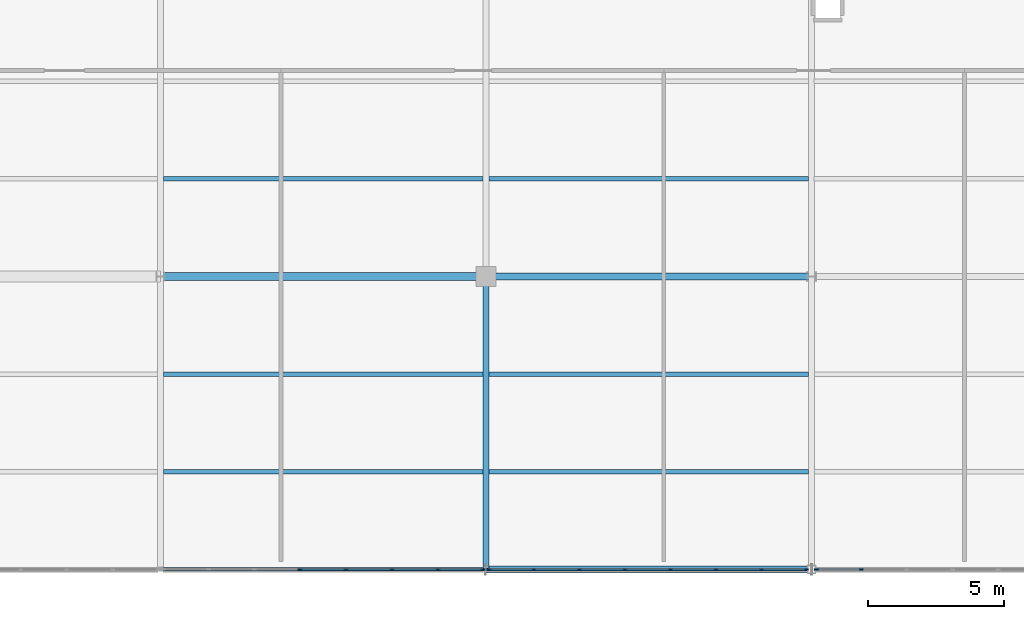
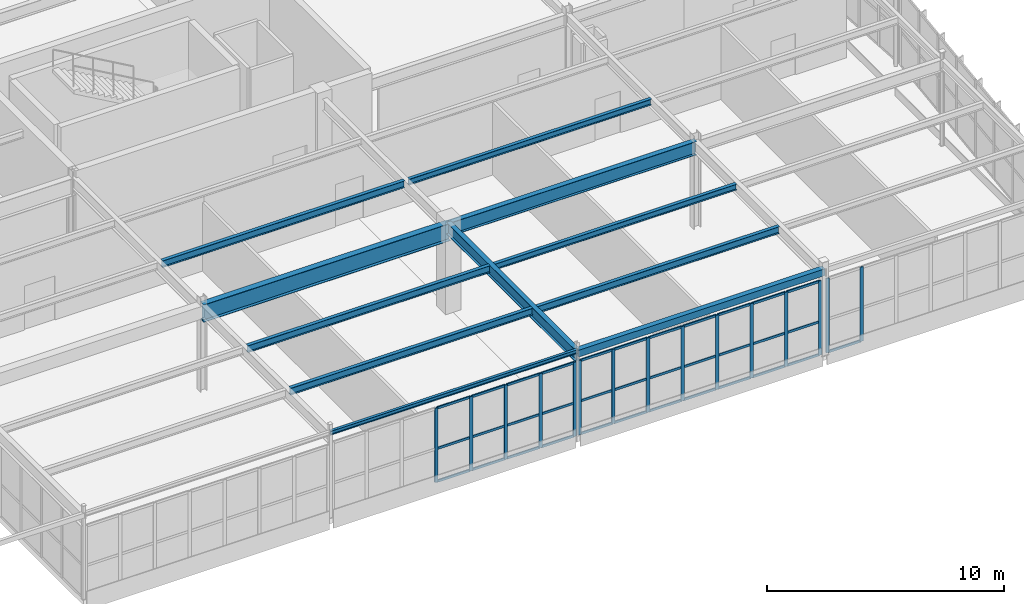
# One storey, part 89 of 186: 49 members, 11 beams, 3 elements without a shape of their own.
"""IFC4 building model written with IfcOpenShell, lengths in metres."""

import ifcopenshell
import ifcopenshell.guid

model = None  # the IFC model being written
_history = None  # IfcOwnerHistory: only IFC2X3 demands one
_inside = {}  # id of a spatial element -> (the spatial element, [elements in it])
_under = {}  # id of a project, library or spatial element -> (it, [spatial elements below it])
_declared = {}  # id of a project -> (the project, [libraries it declares])
_typed = {}  # id of a type object -> (the type object, [elements of that type])
_made_of = {}  # id of a material, layer set ... -> (it, [elements and type objects made of it])


def new_model(schema):
    """Start an empty IFC model of exactly this schema.

    Asked for "IFC4X3", IfcOpenShell would pick the latest addendum, in which some entities
    have other attributes; the version numbers below select the first issue.
    IFC2X3 requires an IfcOwnerHistory on every rooted entity: one is made here for all.
    """
    global model, _history
    if schema == "IFC4X3":
        model = ifcopenshell.file(schema_version=(4, 3, 0, 0))
    else:
        model = ifcopenshell.file(schema=schema)
    _inside.clear()
    _under.clear()
    _declared.clear()
    _typed.clear()
    _made_of.clear()
    _history = None
    if model.schema == "IFC2X3":
        org = make("IfcOrganization", Name="unknown")
        user = make(
            "IfcPersonAndOrganization",
            ThePerson=make("IfcPerson", FamilyName="unknown"),
            TheOrganization=org,
        )
        app = make(
            "IfcApplication",
            ApplicationDeveloper=org,
            Version="unknown",
            ApplicationFullName="unknown",
            ApplicationIdentifier="unknown",
        )
        _history = make(
            "IfcOwnerHistory",
            OwningUser=user,
            OwningApplication=app,
            ChangeAction="ADDED",
            CreationDate=0,
        )
    return model


def make(cls, **values):
    """One entity of the class cls with the attributes given. An attribute that is None is left unset."""
    return model.create_entity(
        cls, **{name: value for name, value in values.items() if value is not None}
    )


def rooted(cls, **values):
    """An entity with a GlobalId (a new one), such as an element, a storey or a relation."""
    return make(cls, GlobalId=ifcopenshell.guid.new(), OwnerHistory=_history, **values)


def si_unit(unit_type, name, prefix=None):
    """IfcSIUnit, for example si_unit("LENGTHUNIT", "METRE", prefix="MILLI")."""
    return make("IfcSIUnit", UnitType=unit_type, Prefix=prefix, Name=name)


def assignment(units):
    """IfcUnitAssignment: the units of a project."""
    return None if units is None else make("IfcUnitAssignment", Units=units)


def point(xyz):
    """IfcCartesianPoint."""
    return None if xyz is None else make("IfcCartesianPoint", Coordinates=xyz)


def direction(xyz):
    """IfcDirection."""
    return None if xyz is None else make("IfcDirection", DirectionRatios=xyz)


def frame(location, z_axis=None, x_axis=None):
    """IfcAxis2Placement3D, a coordinate frame: its origin and axes. An axis left out is left unset."""
    return make(
        "IfcAxis2Placement3D",
        Location=point(location),
        Axis=direction(z_axis),
        RefDirection=direction(x_axis),
    )


def frame_2d(location, x_axis=None):
    """IfcAxis2Placement2D, a coordinate frame in the plane: its origin and x axis."""
    return make(
        "IfcAxis2Placement2D", Location=point(location), RefDirection=direction(x_axis)
    )


def origin():
    """The frame at (0, 0, 0) with its axes left unset."""
    return frame((0.0, 0.0, 0.0))


def origin_2d():
    """The frame at (0, 0) in the plane with its x axis left unset."""
    return frame_2d((0.0, 0.0))


def place(relative_to, where):
    """IfcLocalPlacement: puts the frame where relative to a parent placement (None: the world)."""
    return make(
        "IfcLocalPlacement", PlacementRelTo=relative_to, RelativePlacement=where
    )


def context(
    kind, dimensions, precision=None, world=None, true_north=None, identifier=None
):
    """IfcGeometricRepresentationContext, for example the 3D "Model" context."""
    return make(
        "IfcGeometricRepresentationContext",
        ContextIdentifier=identifier,
        ContextType=kind,
        CoordinateSpaceDimension=dimensions,
        Precision=precision,
        WorldCoordinateSystem=world,
        TrueNorth=true_north,
    )


def subcontext(parent, identifier, kind, view, scale=None):
    """IfcGeometricRepresentationSubContext, for example "Body" below "Model"."""
    return make(
        "IfcGeometricRepresentationSubContext",
        ContextIdentifier=identifier,
        ContextType=kind,
        ParentContext=parent,
        TargetScale=scale,
        TargetView=view,
    )


def project(units=None, contexts=None):
    """IfcProject with its units and contexts."""
    return rooted(
        "IfcProject",
        Name="project",
        RepresentationContexts=contexts,
        UnitsInContext=assignment(units),
    )


def spatial(cls, under=None, at=None, **own):
    """A site, building, storey or space (cls), placed at a placement, below another one or the project."""
    s = rooted(cls, ObjectPlacement=at, **own)
    if under is not None:
        _under.setdefault(under.id(), (under, []))[1].append(s)
    return s


def profile(cls, at=None, kind="AREA", **sizes):
    """A parametric profile (cls). Its sizes go by their IFC names, for example OverallWidth=200.0."""
    return make(cls, ProfileType=kind, Position=at, **sizes)


def rectangle(**sizes):
    """IfcRectangleProfileDef."""
    return profile("IfcRectangleProfileDef", **sizes)


def hollow_rectangle(**sizes):
    """IfcRectangleHollowProfileDef."""
    return profile("IfcRectangleHollowProfileDef", **sizes)


def i_section(**sizes):
    """IfcIShapeProfileDef."""
    return profile("IfcIShapeProfileDef", **sizes)


def extrude(swept, where, along, depth):
    """IfcExtrudedAreaSolid: the profile swept, set in the frame where, extruded along a direction by depth."""
    return make(
        "IfcExtrudedAreaSolid",
        SweptArea=swept,
        Position=where,
        ExtrudedDirection=direction(along),
        Depth=depth,
    )


def shape(context_of_items, identifier, shape_type, items):
    """IfcShapeRepresentation: the items that make up one representation, for example the "Body"."""
    return make(
        "IfcShapeRepresentation",
        ContextOfItems=context_of_items,
        RepresentationIdentifier=identifier,
        RepresentationType=shape_type,
        Items=items,
    )


def material(Name=None, Category=None):
    """IfcMaterial."""
    return make("IfcMaterial", Name=Name, Category=Category)


def layer(
    of_material, thickness, ventilated=None, Name=None, Category=None, Priority=None
):
    """IfcMaterialLayer: one layer of a wall or slab, of a material (None: an air gap)."""
    return make(
        "IfcMaterialLayer",
        Material=of_material,
        LayerThickness=thickness,
        IsVentilated=ventilated,
        Name=Name,
        Category=Category,
        Priority=Priority,
    )


def layer_set(layers, Name=None):
    """IfcMaterialLayerSet."""
    return make("IfcMaterialLayerSet", MaterialLayers=layers, LayerSetName=Name)


def material_profile(
    of_material, cross_section, Name=None, Category=None, Priority=None
):
    """IfcMaterialProfile: a cross section and its material."""
    return make(
        "IfcMaterialProfile",
        Name=Name,
        Material=of_material,
        Profile=cross_section,
        Priority=Priority,
        Category=Category,
    )


def profile_set(profiles, Name=None, composite=None):
    """IfcMaterialProfileSet."""
    return make(
        "IfcMaterialProfileSet",
        Name=Name,
        MaterialProfiles=profiles,
        CompositeProfile=composite,
    )


def made_of(thing, what):
    """Note that an element or type object is made of a material, layer set ...; save() writes the relation."""
    if what is not None:
        _made_of.setdefault(what.id(), (what, []))[1].append(thing)
    return thing


def type_object(cls, material=None, **own):
    """A type object (cls), such as IfcWallType, which elements share."""
    return made_of(rooted(cls, **own), material)


def element(
    cls,
    number,
    at=None,
    inside=None,
    cuts=None,
    type_object=None,
    material=None,
    context=None,
    identifier="Body",
    shape_type=None,
    held_by="IfcProductDefinitionShape",
    body=None,
    shapes=None,
    **own,
):
    """One element of the class cls, such as IfcWall. Its Tag is "e" and its number.

    at: its placement. inside: the storey or other place that contains it. cuts: it is an
    opening in that element (IfcRelVoidsElement). A single representation is given by context,
    identifier, shape_type and body (its items); several are given by shapes. held_by: the class
    of the entity that holds the representations. save() writes the other relations.
    """
    e = rooted(cls, Tag="e%d" % number, ObjectPlacement=at, **own)
    if body is not None:
        shapes = [shape(context, identifier, shape_type, body)]
    if shapes is not None:
        e.Representation = make(held_by, Representations=shapes)
    if inside is not None:
        _inside.setdefault(inside.id(), (inside, []))[1].append(e)
    if cuts is not None:
        rooted(
            "IfcRelVoidsElement", RelatingBuildingElement=cuts, RelatedOpeningElement=e
        )
    if type_object is not None:
        _typed.setdefault(type_object.id(), (type_object, []))[1].append(e)
    return made_of(e, material)


def aggregate(whole, parts):
    """IfcRelAggregates: a whole, such as a stair, and the parts it consists of."""
    return rooted("IfcRelAggregates", RelatingObject=whole, RelatedObjects=parts)


def save(model, path):
    """Write the relations noted so far, then the file.

    IfcRelAggregates (storeys below a building ...), IfcRelContainedInSpatialStructure (elements
    in a storey), IfcRelDefinesByType, IfcRelAssociatesMaterial and IfcRelDeclares: one each for
    every whole, place, type object, material and project.
    """
    for whole, parts in _under.values():
        aggregate(whole, parts)
    for where, things in _inside.values():
        rooted(
            "IfcRelContainedInSpatialStructure",
            RelatedElements=things,
            RelatingStructure=where,
        )
    for kind, things in _typed.values():
        rooted("IfcRelDefinesByType", RelatedObjects=things, RelatingType=kind)
    for what, things in _made_of.values():
        rooted("IfcRelAssociatesMaterial", RelatedObjects=things, RelatingMaterial=what)
    for by, libraries in _declared.values():
        rooted("IfcRelDeclares", RelatingContext=by, RelatedDefinitions=libraries)
    model.write(path)


model = new_model("IFC4")

# Units and contexts
model_context = context("Model", 3, precision=1e-05, world=origin(), true_north=direction((0.0, 1.0)))
body_context = subcontext(model_context, "Body", "Model", "MODEL_VIEW")
ifc_project = project(units=[si_unit("LENGTHUNIT", "METRE"), si_unit("AREAUNIT", "SQUARE_METRE"), si_unit("VOLUMEUNIT", "CUBIC_METRE"), si_unit("PLANEANGLEUNIT", "RADIAN"), si_unit("MASSUNIT", "GRAM", prefix="KILO")], contexts=[model_context])

# Site, building, storey
site_placement = place(None, origin())
site = spatial("IfcSite", under=ifc_project, at=site_placement, CompositionType="ELEMENT")
building_placement = place(site_placement, origin())
building = spatial("IfcBuilding", under=site, at=building_placement, Name="Tarnwether General Hospital", CompositionType="ELEMENT")
storey_placement = place(building_placement, frame((0.0, 0.0, 9.60009765625)))
storey = spatial("IfcBuildingStorey", under=building, at=storey_placement, Name="L02", CompositionType="ELEMENT", Elevation=9.60009765625)

# Beams
ifc_material_1 = material(Name="Steel Grade 350 (350 MPa)", Category="steel")
ifc_material_profile_1 = material_profile(ifc_material_1, i_section(OverallWidth=0.300048828125, OverallDepth=0.89990234375, WebThickness=0.011962890625, FlangeThickness=0.02001953125, at=origin_2d()), Name="900WB175")
ifc_profile_set_1 = profile_set([ifc_material_profile_1], Name="Steel Grade 350 (350 MPa)")
beam_type_1 = type_object("IfcBeamType", Name="BM-G01", PredefinedType="BEAM", material=ifc_profile_set_1)
beam_1_placement = place(storey_placement, frame((156.0, 10.800048828125, 3.994873046875), z_axis=(1.0, 0.0, 0.0), x_axis=(0.0, 1.0, 0.0)))
element("IfcBeam", 1, at=beam_1_placement, inside=storey, type_object=beam_type_1, Name="Primary Girder BMG-L02-15600_1080-16800_1080-1590", PredefinedType="BEAM", context=body_context, shape_type="SweptSolid", body=[
    extrude(i_section(OverallWidth=0.300048828125, OverallDepth=0.89990234375, WebThickness=0.011962890625, FlangeThickness=0.02001953125, at=origin_2d()), origin(), (0.0, 0.0, 1.0), 12.0),
])
ifc_material_2 = material(Name="Steel Grade 350 (350 MPa)", Category="steel")
ifc_material_profile_2 = material_profile(ifc_material_2, i_section(OverallWidth=0.25, OverallDepth=0.69189453125, WebThickness=0.009033203125, FlangeThickness=0.01611328125, at=origin_2d()), Name="700WB115")
ifc_profile_set_2 = profile_set([ifc_material_profile_2], Name="Steel Grade 350 (350 MPa)")
beam_type_2 = type_object("IfcBeamType", Name="BM-G02", PredefinedType="BEAM", material=ifc_profile_set_2)
beam_2_placement = place(storey_placement, frame((168.0, 10.800048828125, 4.093994140625), z_axis=(1.0, 0.0, 0.0), x_axis=(0.0, 1.0, 0.0)))
element("IfcBeam", 2, at=beam_2_placement, inside=storey, type_object=beam_type_2, Name="Primary Girder BMG-L02-16800_1080-18000_1080-1608", PredefinedType="BEAM", context=body_context, shape_type="SweptSolid", body=[
    extrude(i_section(OverallWidth=0.25, OverallDepth=0.69189453125, WebThickness=0.009033203125, FlangeThickness=0.01611328125, at=origin_2d()), origin(), (0.0, 0.0, 1.0), 12.0),
])
ifc_material_3 = material(Name="Steel Grade 350 (350 MPa)", Category="steel")
ifc_material_profile_3 = material_profile(ifc_material_3, i_section(OverallWidth=0.22802734375, OverallDepth=0.60693359375, WebThickness=0.01123046875, FlangeThickness=0.017333984375, at=origin_2d()), Name="610UB113")
ifc_profile_set_3 = profile_set([ifc_material_profile_3], Name="Steel Grade 350 (350 MPa)")
beam_type_3 = type_object("IfcBeamType", Name="BM-G04", PredefinedType="BEAM", material=ifc_profile_set_3)
beam_3_placement = place(storey_placement, frame((168.0, 0.0, 4.141357421875), z_axis=(0.0, 1.0, 0.0), x_axis=(-1.0, 0.0, 0.0)))
element("IfcBeam", 3, at=beam_3_placement, inside=storey, type_object=beam_type_3, Name="Primary Girder BMG-L02-16800_0-16800_1080-1607", PredefinedType="BEAM", context=body_context, shape_type="SweptSolid", body=[
    extrude(i_section(OverallWidth=0.22802734375, OverallDepth=0.60693359375, WebThickness=0.01123046875, FlangeThickness=0.017333984375, at=origin_2d()), origin(), (0.0, 0.0, 1.0), 10.800048828125),
])
ifc_material_4 = material(Name="Steel Grade 350 (350 MPa)", Category="steel")
ifc_material_profile_4 = material_profile(ifc_material_4, i_section(OverallWidth=0.172119140625, OverallDepth=0.35888671875, WebThickness=0.008056640625, FlangeThickness=0.012939453125, at=origin_2d()), Name="360UB56.7")
ifc_profile_set_4 = profile_set([ifc_material_profile_4], Name="Steel Grade 350 (350 MPa)")
beam_type_4 = type_object("IfcBeamType", Name="BM-J03", PredefinedType="JOIST", material=ifc_profile_set_4)
beam_4_placement = place(storey_placement, frame((156.10791015625, 3.60009765625, 4.265380859375), z_axis=(1.0, 0.0, 0.0), x_axis=(0.0, 1.0, 0.0)))
element("IfcBeam", 4, at=beam_4_placement, inside=storey, type_object=beam_type_4, Name="Composite Floor Joist BMG-L02-15611_360-16789_360-1720", PredefinedType="JOIST", context=body_context, shape_type="SweptSolid", body=[
    extrude(i_section(OverallWidth=0.172119140625, OverallDepth=0.35888671875, WebThickness=0.008056640625, FlangeThickness=0.012939453125, at=origin_2d()), origin(), (0.0, 0.0, 1.0), 11.7841796875),
])
ifc_material_5 = material(Name="Steel Grade 350 (350 MPa)", Category="steel")
ifc_material_profile_5 = material_profile(ifc_material_5, i_section(OverallWidth=0.1708984375, OverallDepth=0.35595703125, WebThickness=0.00732421875, FlangeThickness=0.011474609375, at=origin_2d()), Name="360UB50.7")
ifc_profile_set_5 = profile_set([ifc_material_profile_5], Name="Steel Grade 350 (350 MPa)")
beam_type_5 = type_object("IfcBeamType", Name="BM-J04", PredefinedType="JOIST", material=ifc_profile_set_5)
for number, where, z_axis, x_axis, name in (
    (5, (156.10791015625, 7.199951171875, 4.266845703125), (1.0, 0.0, 0.0), (0.0, 1.0, 0.0), "Composite Floor Joist BMG-L02-15611_720-16789_720-1721"),
    (6, (156.10791015625, 14.39990234375, 4.266845703125), (1.0, 0.0, 0.0), (0.0, 1.0, 0.0), "Composite Floor Joist BMG-L02-15611_1440-16789_1440-1722"),
    (7, (168.10791015625, 3.60009765625, 4.261962890625), (1.0, 0.0, 0.0), (0.0, 1.0, 0.0), "Composite Floor Joist BMG-L02-16811_360-17989_360-1730"),
):
    element("IfcBeam", number, at=place(storey_placement, frame(where, z_axis=z_axis, x_axis=x_axis)), inside=storey, type_object=beam_type_5, Name=name, PredefinedType="JOIST", context=body_context, shape_type="SweptSolid", body=[
        extrude(i_section(OverallWidth=0.1708984375, OverallDepth=0.35595703125, WebThickness=0.00732421875, FlangeThickness=0.011474609375, at=origin_2d()), origin(), (0.0, 0.0, 1.0), 11.7841796875),
    ])
ifc_material_6 = material(Name="Steel Grade 350 (350 MPa)", Category="steel")
ifc_material_profile_6 = material_profile(ifc_material_6, i_section(OverallWidth=0.166015625, OverallDepth=0.306884765625, WebThickness=0.006591796875, FlangeThickness=0.01171875, at=origin_2d()), Name="310UB46.2")
ifc_profile_set_6 = profile_set([ifc_material_profile_6], Name="Steel Grade 350 (350 MPa)")
beam_type_6 = type_object("IfcBeamType", Name="BM-J05", PredefinedType="JOIST", material=ifc_profile_set_6)
beam_5_placement = place(storey_placement, frame((168.10791015625, 7.199951171875, 4.286376953125), z_axis=(1.0, 0.0, 0.0), x_axis=(0.0, 1.0, 0.0)))
element("IfcBeam", 8, at=beam_5_placement, inside=storey, type_object=beam_type_6, Name="Composite Floor Joist BMG-L02-16811_720-17989_720-1731", PredefinedType="JOIST", context=body_context, shape_type="SweptSolid", body=[
    extrude(i_section(OverallWidth=0.166015625, OverallDepth=0.306884765625, WebThickness=0.006591796875, FlangeThickness=0.01171875, at=origin_2d()), origin(), (0.0, 0.0, 1.0), 11.7841796875),
])
beam_6_placement = place(storey_placement, frame((168.10791015625, 14.39990234375, 4.286376953125), z_axis=(1.0, 0.0, 0.0), x_axis=(0.0, 1.0, 0.0)))
element("IfcBeam", 9, at=beam_6_placement, inside=storey, type_object=beam_type_6, Name="Composite Floor Joist BMG-L02-16811_1440-17990_1440-1732", PredefinedType="JOIST", context=body_context, shape_type="SweptSolid", body=[
    extrude(i_section(OverallWidth=0.166015625, OverallDepth=0.306884765625, WebThickness=0.006591796875, FlangeThickness=0.01171875, at=origin_2d()), origin(), (0.0, 0.0, 1.0), 11.79296875),
])
ifc_material_7 = material(Name="Steel Grade 350 (350 MPa)", Category="steel")
ifc_material_profile_7 = material_profile(ifc_material_7, i_section(OverallWidth=0.133056640625, OverallDepth=0.201904296875, WebThickness=0.0048828125, FlangeThickness=0.007080078125, at=origin_2d()), Name="200UB22.3")
ifc_profile_set_7 = profile_set([ifc_material_profile_7], Name="Steel Grade 350 (350 MPa)")
beam_type_7 = type_object("IfcBeamType", Name="BM-SP6", PredefinedType="SPANDREL", material=ifc_profile_set_7)
beam_7_placement = place(storey_placement, frame((156.0, 0.0, 4.343994140625), z_axis=(1.0, 0.0, 0.0), x_axis=(0.0, 1.0, 0.0)))
element("IfcBeam", 10, at=beam_7_placement, inside=storey, type_object=beam_type_7, Name="Primary Girder BMG-L02-15600_0-16800_0-1588", PredefinedType="SPANDREL", context=body_context, shape_type="SweptSolid", body=[
    extrude(i_section(OverallWidth=0.133056640625, OverallDepth=0.201904296875, WebThickness=0.0048828125, FlangeThickness=0.007080078125, at=origin_2d()), origin(), (0.0, 0.0, 1.0), 12.0),
])
ifc_material_8 = material(Name="Steel Grade C350L0 (350 MPa)", Category="steel")
ifc_material_profile_8 = material_profile(ifc_material_8, hollow_rectangle(XDim=0.25, YDim=0.35009765625, WallThickness=0.012451171875, at=origin_2d()), Name="RHS350x250x12.5")
ifc_profile_set_8 = profile_set([ifc_material_profile_8], Name="Steel Grade C350L0 (350 MPa)")
beam_type_8 = type_object("IfcBeamType", Name="BM-SP7", PredefinedType="SPANDREL", material=ifc_profile_set_8)
beam_8_placement = place(storey_placement, frame((168.0, 0.0, 4.264892578125), z_axis=(1.0, 0.0, 0.0), x_axis=(0.0, 1.0, 0.0)))
element("IfcBeam", 11, at=beam_8_placement, inside=storey, type_object=beam_type_8, Name="Primary Girder BMG-L02-16800_0-18000_0-1606", PredefinedType="SPANDREL", context=body_context, shape_type="SweptSolid", body=[
    extrude(hollow_rectangle(XDim=0.25, YDim=0.35009765625, WallThickness=0.012451171875, at=origin_2d()), origin(), (0.0, 0.0, 1.0), 12.0),
])

# Curtain wall, members
ifc_material_9 = material(Name="Anodised aluminium", Category="aluminium")
ifc_layer = layer(ifc_material_9, 0.159912109375)
ifc_layer_set = layer_set([ifc_layer], Name="Anodised aluminium")
curtain_wall_type = type_object("IfcCurtainWallType", Name="CW-19", PredefinedType="NOTDEFINED", material=ifc_layer_set)
curtain_wall_1_placement = place(storey_placement, origin())
curtain_wall_1 = element("IfcCurtainWall", 12, at=curtain_wall_1_placement, inside=storey, type_object=curtain_wall_type, Name="Curtain Wall CWG-L02-1919_0-0456", PredefinedType="NOTDEFINED")
ifc_material_10 = material(Name="Anodised aluminium", Category="aluminium")
ifc_material_profile_9 = material_profile(ifc_material_10, rectangle(XDim=0.06005859375, YDim=0.159912109375, at=origin_2d()), Name="ALU-MUL-60x160")
ifc_profile_set_9 = profile_set([ifc_material_profile_9], Name="Anodised aluminium")
member_type_1 = type_object("IfcMemberType", Name="CW-ML1", PredefinedType="MULLION", material=ifc_profile_set_9)
member_1_placement = place(storey_placement, frame((181.837646484375, 0.0, 0.0), z_axis=(0.0, 0.0, 1.0), x_axis=(0.0, -1.0, 0.0)))
member_1 = element("IfcMember", 13, at=member_1_placement, type_object=member_type_1, Name="CW-19 mullion 7", PredefinedType="MULLION", context=body_context, shape_type="SweptSolid", body=[
    extrude(rectangle(XDim=0.06005859375, YDim=0.159912109375, at=origin_2d()), origin(), (0.0, 0.0, 1.0), 3.822998046875),
])
member_2_placement = place(storey_placement, frame((180.18798828125, 0.0, 0.0), z_axis=(0.0, 0.0, 1.0), x_axis=(0.0, -1.0, 0.0)))
member_2 = element("IfcMember", 14, at=member_2_placement, type_object=member_type_1, Name="CW-19 mullion 8", PredefinedType="MULLION", context=body_context, shape_type="SweptSolid", body=[
    extrude(rectangle(XDim=0.06005859375, YDim=0.159912109375, at=origin_2d()), origin(), (0.0, 0.0, 1.0), 3.822998046875),
])

curtain_wall_2_placement = place(storey_placement, origin())
curtain_wall_2 = element("IfcCurtainWall", 15, at=curtain_wall_2_placement, inside=storey, type_object=curtain_wall_type, Name="Curtain Wall CWG-L02-1798_0-0457", PredefinedType="NOTDEFINED")
member_3_placement = place(storey_placement, frame((179.81201171875, 0.0, 0.0), z_axis=(0.0, 0.0, 1.0), x_axis=(0.0, -1.0, 0.0)))
member_3 = element("IfcMember", 16, at=member_3_placement, type_object=member_type_1, Name="CW-19 mullion 1", PredefinedType="MULLION", context=body_context, shape_type="SweptSolid", body=[
    extrude(rectangle(XDim=0.06005859375, YDim=0.159912109375, at=origin_2d()), origin(), (0.0, 0.0, 1.0), 3.822998046875),
])
member_4_placement = place(storey_placement, frame((178.162353515625, 0.0, 0.0), z_axis=(0.0, 0.0, 1.0), x_axis=(0.0, -1.0, 0.0)))
member_4 = element("IfcMember", 17, at=member_4_placement, type_object=member_type_1, Name="CW-19 mullion 2", PredefinedType="MULLION", context=body_context, shape_type="SweptSolid", body=[
    extrude(rectangle(XDim=0.06005859375, YDim=0.159912109375, at=origin_2d()), origin(), (0.0, 0.0, 1.0), 3.822998046875),
])
member_5_placement = place(storey_placement, frame((176.482666015625, 0.0, 0.0), z_axis=(0.0, 0.0, 1.0), x_axis=(0.0, -1.0, 0.0)))
member_5 = element("IfcMember", 18, at=member_5_placement, type_object=member_type_1, Name="CW-19 mullion 3", PredefinedType="MULLION", context=body_context, shape_type="SweptSolid", body=[
    extrude(rectangle(XDim=0.06005859375, YDim=0.159912109375, at=origin_2d()), origin(), (0.0, 0.0, 1.0), 3.822998046875),
])
member_6_placement = place(storey_placement, frame((174.802978515625, 0.0, 0.0), z_axis=(0.0, 0.0, 1.0), x_axis=(0.0, -1.0, 0.0)))
member_6 = element("IfcMember", 19, at=member_6_placement, type_object=member_type_1, Name="CW-19 mullion 4", PredefinedType="MULLION", context=body_context, shape_type="SweptSolid", body=[
    extrude(rectangle(XDim=0.06005859375, YDim=0.159912109375, at=origin_2d()), origin(), (0.0, 0.0, 1.0), 3.822998046875),
])
member_7_placement = place(storey_placement, frame((173.123046875, 0.0, 0.0), z_axis=(0.0, 0.0, 1.0), x_axis=(0.0, -1.0, 0.0)))
member_7 = element("IfcMember", 20, at=member_7_placement, type_object=member_type_1, Name="CW-19 mullion 5", PredefinedType="MULLION", context=body_context, shape_type="SweptSolid", body=[
    extrude(rectangle(XDim=0.06005859375, YDim=0.159912109375, at=origin_2d()), origin(), (0.0, 0.0, 1.0), 3.822998046875),
])
member_8_placement = place(storey_placement, frame((171.443359375, 0.0, 0.0), z_axis=(0.0, 0.0, 1.0), x_axis=(0.0, -1.0, 0.0)))
member_8 = element("IfcMember", 21, at=member_8_placement, type_object=member_type_1, Name="CW-19 mullion 6", PredefinedType="MULLION", context=body_context, shape_type="SweptSolid", body=[
    extrude(rectangle(XDim=0.06005859375, YDim=0.159912109375, at=origin_2d()), origin(), (0.0, 0.0, 1.0), 3.822998046875),
])
member_9_placement = place(storey_placement, frame((169.763671875, 0.0, 0.0), z_axis=(0.0, 0.0, 1.0), x_axis=(0.0, -1.0, 0.0)))
member_9 = element("IfcMember", 22, at=member_9_placement, type_object=member_type_1, Name="CW-19 mullion 7", PredefinedType="MULLION", context=body_context, shape_type="SweptSolid", body=[
    extrude(rectangle(XDim=0.06005859375, YDim=0.159912109375, at=origin_2d()), origin(), (0.0, 0.0, 1.0), 3.822998046875),
])
member_10_placement = place(storey_placement, frame((168.114013671875, 0.0, 0.0), z_axis=(0.0, 0.0, 1.0), x_axis=(0.0, -1.0, 0.0)))
member_10 = element("IfcMember", 23, at=member_10_placement, type_object=member_type_1, Name="CW-19 mullion 8", PredefinedType="MULLION", context=body_context, shape_type="SweptSolid", body=[
    extrude(rectangle(XDim=0.06005859375, YDim=0.159912109375, at=origin_2d()), origin(), (0.0, 0.0, 1.0), 3.822998046875),
])

curtain_wall_3_placement = place(storey_placement, origin())
curtain_wall_3 = element("IfcCurtainWall", 24, at=curtain_wall_3_placement, inside=storey, type_object=curtain_wall_type, Name="Curtain Wall CWG-L02-1679_0-0458", PredefinedType="NOTDEFINED")
member_11_placement = place(storey_placement, frame((167.885986328125, 0.0, 0.0), z_axis=(0.0, 0.0, 1.0), x_axis=(0.0, -1.0, 0.0)))
member_11 = element("IfcMember", 25, at=member_11_placement, type_object=member_type_1, Name="CW-19 mullion 1", PredefinedType="MULLION", context=body_context, shape_type="SweptSolid", body=[
    extrude(rectangle(XDim=0.06005859375, YDim=0.159912109375, at=origin_2d()), origin(), (0.0, 0.0, 1.0), 3.81787109375),
])
member_12_placement = place(storey_placement, frame((166.223876953125, 0.0, 0.0), z_axis=(0.0, 0.0, 1.0), x_axis=(0.0, -1.0, 0.0)))
member_12 = element("IfcMember", 26, at=member_12_placement, type_object=member_type_1, Name="CW-19 mullion 2", PredefinedType="MULLION", context=body_context, shape_type="SweptSolid", body=[
    extrude(rectangle(XDim=0.06005859375, YDim=0.159912109375, at=origin_2d()), origin(), (0.0, 0.0, 1.0), 3.81787109375),
])
member_13_placement = place(storey_placement, frame((164.53173828125, 0.0, 0.0), z_axis=(0.0, 0.0, 1.0), x_axis=(0.0, -1.0, 0.0)))
member_13 = element("IfcMember", 27, at=member_13_placement, type_object=member_type_1, Name="CW-19 mullion 3", PredefinedType="MULLION", context=body_context, shape_type="SweptSolid", body=[
    extrude(rectangle(XDim=0.06005859375, YDim=0.159912109375, at=origin_2d()), origin(), (0.0, 0.0, 1.0), 3.81787109375),
])
member_14_placement = place(storey_placement, frame((162.839599609375, 0.0, 0.0), z_axis=(0.0, 0.0, 1.0), x_axis=(0.0, -1.0, 0.0)))
member_14 = element("IfcMember", 28, at=member_14_placement, type_object=member_type_1, Name="CW-19 mullion 4", PredefinedType="MULLION", context=body_context, shape_type="SweptSolid", body=[
    extrude(rectangle(XDim=0.06005859375, YDim=0.159912109375, at=origin_2d()), origin(), (0.0, 0.0, 1.0), 3.81787109375),
])
member_15_placement = place(storey_placement, frame((161.1474609375, 0.0, 0.0), z_axis=(0.0, 0.0, 1.0), x_axis=(0.0, -1.0, 0.0)))
member_15 = element("IfcMember", 29, at=member_15_placement, type_object=member_type_1, Name="CW-19 mullion 5", PredefinedType="MULLION", context=body_context, shape_type="SweptSolid", body=[
    extrude(rectangle(XDim=0.06005859375, YDim=0.159912109375, at=origin_2d()), origin(), (0.0, 0.0, 1.0), 3.81787109375),
])

# Member
ifc_material_11 = material(Name="Anodised aluminium", Category="aluminium")
ifc_material_profile_10 = material_profile(ifc_material_11, rectangle(XDim=0.06005859375, YDim=0.1201171875, at=origin_2d()), Name="ALU-TRN-60x120")
ifc_profile_set_10 = profile_set([ifc_material_profile_10], Name="Anodised aluminium")
member_type_2 = type_object("IfcMemberType", Name="CW-TR1", PredefinedType="USERDEFINED", material=ifc_profile_set_10)
member_16_placement = place(storey_placement, frame((181.8076171875, 0.0, 0.02978515625), z_axis=(-1.0, 0.0, 0.0), x_axis=(0.0, -1.0, 0.0)))
member_16 = element("IfcMember", 30, at=member_16_placement, type_object=member_type_2, Name="CW-19 transom 7.1", ObjectType="TRANSOM", PredefinedType="USERDEFINED", context=body_context, shape_type="SweptSolid", body=[
    extrude(rectangle(XDim=0.06005859375, YDim=0.1201171875, at=origin_2d()), origin(), (0.0, 0.0, 1.0), 1.589599609375),
])

aggregate(curtain_wall_1, [member_1, member_2, member_16])

member_17_placement = place(storey_placement, frame((179.781982421875, 0.0, 0.02978515625), z_axis=(-1.0, 0.0, 0.0), x_axis=(0.0, -1.0, 0.0)))
member_17 = element("IfcMember", 31, at=member_17_placement, type_object=member_type_2, Name="CW-19 transom 1.1", ObjectType="TRANSOM", PredefinedType="USERDEFINED", context=body_context, shape_type="SweptSolid", body=[
    extrude(rectangle(XDim=0.06005859375, YDim=0.1201171875, at=origin_2d()), origin(), (0.0, 0.0, 1.0), 1.589599609375),
])

member_18_placement = place(storey_placement, frame((179.781982421875, 0.0, 1.72021484375), z_axis=(-1.0, 0.0, 0.0), x_axis=(0.0, -1.0, 0.0)))
member_18 = element("IfcMember", 32, at=member_18_placement, type_object=member_type_2, Name="CW-19 transom 1.2", ObjectType="TRANSOM", PredefinedType="USERDEFINED", context=body_context, shape_type="SweptSolid", body=[
    extrude(rectangle(XDim=0.06005859375, YDim=0.1201171875, at=origin_2d()), origin(), (0.0, 0.0, 1.0), 1.589599609375),
])

member_19_placement = place(storey_placement, frame((179.781982421875, 0.0, 3.79296875), z_axis=(-1.0, 0.0, 0.0), x_axis=(0.0, -1.0, 0.0)))
member_19 = element("IfcMember", 33, at=member_19_placement, type_object=member_type_2, Name="CW-19 transom 1.3", ObjectType="TRANSOM", PredefinedType="USERDEFINED", context=body_context, shape_type="SweptSolid", body=[
    extrude(rectangle(XDim=0.06005859375, YDim=0.1201171875, at=origin_2d()), origin(), (0.0, 0.0, 1.0), 1.589599609375),
])

member_20_placement = place(storey_placement, frame((178.13232421875, 0.0, 0.02978515625), z_axis=(-1.0, 0.0, 0.0), x_axis=(0.0, -1.0, 0.0)))
member_20 = element("IfcMember", 34, at=member_20_placement, type_object=member_type_2, Name="CW-19 transom 2.1", ObjectType="TRANSOM", PredefinedType="USERDEFINED", context=body_context, shape_type="SweptSolid", body=[
    extrude(rectangle(XDim=0.06005859375, YDim=0.1201171875, at=origin_2d()), origin(), (0.0, 0.0, 1.0), 1.619873046875),
])

member_21_placement = place(storey_placement, frame((178.13232421875, 0.0, 1.72021484375), z_axis=(-1.0, 0.0, 0.0), x_axis=(0.0, -1.0, 0.0)))
member_21 = element("IfcMember", 35, at=member_21_placement, type_object=member_type_2, Name="CW-19 transom 2.2", ObjectType="TRANSOM", PredefinedType="USERDEFINED", context=body_context, shape_type="SweptSolid", body=[
    extrude(rectangle(XDim=0.06005859375, YDim=0.1201171875, at=origin_2d()), origin(), (0.0, 0.0, 1.0), 1.619873046875),
])

member_22_placement = place(storey_placement, frame((178.13232421875, 0.0, 3.79296875), z_axis=(-1.0, 0.0, 0.0), x_axis=(0.0, -1.0, 0.0)))
member_22 = element("IfcMember", 36, at=member_22_placement, type_object=member_type_2, Name="CW-19 transom 2.3", ObjectType="TRANSOM", PredefinedType="USERDEFINED", context=body_context, shape_type="SweptSolid", body=[
    extrude(rectangle(XDim=0.06005859375, YDim=0.1201171875, at=origin_2d()), origin(), (0.0, 0.0, 1.0), 1.619873046875),
])

member_23_placement = place(storey_placement, frame((176.45263671875, 0.0, 0.02978515625), z_axis=(-1.0, 0.0, 0.0), x_axis=(0.0, -1.0, 0.0)))
member_23 = element("IfcMember", 37, at=member_23_placement, type_object=member_type_2, Name="CW-19 transom 3.1", ObjectType="TRANSOM", PredefinedType="USERDEFINED", context=body_context, shape_type="SweptSolid", body=[
    extrude(rectangle(XDim=0.06005859375, YDim=0.1201171875, at=origin_2d()), origin(), (0.0, 0.0, 1.0), 1.619873046875),
])

member_24_placement = place(storey_placement, frame((176.45263671875, 0.0, 1.72021484375), z_axis=(-1.0, 0.0, 0.0), x_axis=(0.0, -1.0, 0.0)))
member_24 = element("IfcMember", 38, at=member_24_placement, type_object=member_type_2, Name="CW-19 transom 3.2", ObjectType="TRANSOM", PredefinedType="USERDEFINED", context=body_context, shape_type="SweptSolid", body=[
    extrude(rectangle(XDim=0.06005859375, YDim=0.1201171875, at=origin_2d()), origin(), (0.0, 0.0, 1.0), 1.619873046875),
])

member_25_placement = place(storey_placement, frame((176.45263671875, 0.0, 3.79296875), z_axis=(-1.0, 0.0, 0.0), x_axis=(0.0, -1.0, 0.0)))
member_25 = element("IfcMember", 39, at=member_25_placement, type_object=member_type_2, Name="CW-19 transom 3.3", ObjectType="TRANSOM", PredefinedType="USERDEFINED", context=body_context, shape_type="SweptSolid", body=[
    extrude(rectangle(XDim=0.06005859375, YDim=0.1201171875, at=origin_2d()), origin(), (0.0, 0.0, 1.0), 1.619873046875),
])

member_26_placement = place(storey_placement, frame((174.77294921875, 0.0, 0.02978515625), z_axis=(-1.0, 0.0, 0.0), x_axis=(0.0, -1.0, 0.0)))
member_26 = element("IfcMember", 40, at=member_26_placement, type_object=member_type_2, Name="CW-19 transom 4.1", ObjectType="TRANSOM", PredefinedType="USERDEFINED", context=body_context, shape_type="SweptSolid", body=[
    extrude(rectangle(XDim=0.06005859375, YDim=0.1201171875, at=origin_2d()), origin(), (0.0, 0.0, 1.0), 1.619873046875),
])

member_27_placement = place(storey_placement, frame((174.77294921875, 0.0, 1.72021484375), z_axis=(-1.0, 0.0, 0.0), x_axis=(0.0, -1.0, 0.0)))
member_27 = element("IfcMember", 41, at=member_27_placement, type_object=member_type_2, Name="CW-19 transom 4.2", ObjectType="TRANSOM", PredefinedType="USERDEFINED", context=body_context, shape_type="SweptSolid", body=[
    extrude(rectangle(XDim=0.06005859375, YDim=0.1201171875, at=origin_2d()), origin(), (0.0, 0.0, 1.0), 1.619873046875),
])

member_28_placement = place(storey_placement, frame((174.77294921875, 0.0, 3.79296875), z_axis=(-1.0, 0.0, 0.0), x_axis=(0.0, -1.0, 0.0)))
member_28 = element("IfcMember", 42, at=member_28_placement, type_object=member_type_2, Name="CW-19 transom 4.3", ObjectType="TRANSOM", PredefinedType="USERDEFINED", context=body_context, shape_type="SweptSolid", body=[
    extrude(rectangle(XDim=0.06005859375, YDim=0.1201171875, at=origin_2d()), origin(), (0.0, 0.0, 1.0), 1.619873046875),
])

member_29_placement = place(storey_placement, frame((173.09326171875, 0.0, 0.02978515625), z_axis=(-1.0, 0.0, 0.0), x_axis=(0.0, -1.0, 0.0)))
member_29 = element("IfcMember", 43, at=member_29_placement, type_object=member_type_2, Name="CW-19 transom 5.1", ObjectType="TRANSOM", PredefinedType="USERDEFINED", context=body_context, shape_type="SweptSolid", body=[
    extrude(rectangle(XDim=0.06005859375, YDim=0.1201171875, at=origin_2d()), origin(), (0.0, 0.0, 1.0), 1.619873046875),
])

member_30_placement = place(storey_placement, frame((173.09326171875, 0.0, 1.72021484375), z_axis=(-1.0, 0.0, 0.0), x_axis=(0.0, -1.0, 0.0)))
member_30 = element("IfcMember", 44, at=member_30_placement, type_object=member_type_2, Name="CW-19 transom 5.2", ObjectType="TRANSOM", PredefinedType="USERDEFINED", context=body_context, shape_type="SweptSolid", body=[
    extrude(rectangle(XDim=0.06005859375, YDim=0.1201171875, at=origin_2d()), origin(), (0.0, 0.0, 1.0), 1.619873046875),
])

member_31_placement = place(storey_placement, frame((173.09326171875, 0.0, 3.79296875), z_axis=(-1.0, 0.0, 0.0), x_axis=(0.0, -1.0, 0.0)))
member_31 = element("IfcMember", 45, at=member_31_placement, type_object=member_type_2, Name="CW-19 transom 5.3", ObjectType="TRANSOM", PredefinedType="USERDEFINED", context=body_context, shape_type="SweptSolid", body=[
    extrude(rectangle(XDim=0.06005859375, YDim=0.1201171875, at=origin_2d()), origin(), (0.0, 0.0, 1.0), 1.619873046875),
])

member_32_placement = place(storey_placement, frame((171.413330078125, 0.0, 0.02978515625), z_axis=(-1.0, 0.0, 0.0), x_axis=(0.0, -1.0, 0.0)))
member_32 = element("IfcMember", 46, at=member_32_placement, type_object=member_type_2, Name="CW-19 transom 6.1", ObjectType="TRANSOM", PredefinedType="USERDEFINED", context=body_context, shape_type="SweptSolid", body=[
    extrude(rectangle(XDim=0.06005859375, YDim=0.1201171875, at=origin_2d()), origin(), (0.0, 0.0, 1.0), 1.61962890625),
])

member_33_placement = place(storey_placement, frame((171.413330078125, 0.0, 1.72021484375), z_axis=(-1.0, 0.0, 0.0), x_axis=(0.0, -1.0, 0.0)))
member_33 = element("IfcMember", 47, at=member_33_placement, type_object=member_type_2, Name="CW-19 transom 6.2", ObjectType="TRANSOM", PredefinedType="USERDEFINED", context=body_context, shape_type="SweptSolid", body=[
    extrude(rectangle(XDim=0.06005859375, YDim=0.1201171875, at=origin_2d()), origin(), (0.0, 0.0, 1.0), 1.61962890625),
])

member_34_placement = place(storey_placement, frame((171.413330078125, 0.0, 3.79296875), z_axis=(-1.0, 0.0, 0.0), x_axis=(0.0, -1.0, 0.0)))
member_34 = element("IfcMember", 48, at=member_34_placement, type_object=member_type_2, Name="CW-19 transom 6.3", ObjectType="TRANSOM", PredefinedType="USERDEFINED", context=body_context, shape_type="SweptSolid", body=[
    extrude(rectangle(XDim=0.06005859375, YDim=0.1201171875, at=origin_2d()), origin(), (0.0, 0.0, 1.0), 1.61962890625),
])

member_35_placement = place(storey_placement, frame((169.733642578125, 0.0, 0.02978515625), z_axis=(-1.0, 0.0, 0.0), x_axis=(0.0, -1.0, 0.0)))
member_35 = element("IfcMember", 49, at=member_35_placement, type_object=member_type_2, Name="CW-19 transom 7.1", ObjectType="TRANSOM", PredefinedType="USERDEFINED", context=body_context, shape_type="SweptSolid", body=[
    extrude(rectangle(XDim=0.06005859375, YDim=0.1201171875, at=origin_2d()), origin(), (0.0, 0.0, 1.0), 1.589599609375),
])

member_36_placement = place(storey_placement, frame((169.733642578125, 0.0, 1.72021484375), z_axis=(-1.0, 0.0, 0.0), x_axis=(0.0, -1.0, 0.0)))
member_36 = element("IfcMember", 50, at=member_36_placement, type_object=member_type_2, Name="CW-19 transom 7.2", ObjectType="TRANSOM", PredefinedType="USERDEFINED", context=body_context, shape_type="SweptSolid", body=[
    extrude(rectangle(XDim=0.06005859375, YDim=0.1201171875, at=origin_2d()), origin(), (0.0, 0.0, 1.0), 1.589599609375),
])

member_37_placement = place(storey_placement, frame((169.733642578125, 0.0, 3.79296875), z_axis=(-1.0, 0.0, 0.0), x_axis=(0.0, -1.0, 0.0)))
member_37 = element("IfcMember", 51, at=member_37_placement, type_object=member_type_2, Name="CW-19 transom 7.3", ObjectType="TRANSOM", PredefinedType="USERDEFINED", context=body_context, shape_type="SweptSolid", body=[
    extrude(rectangle(XDim=0.06005859375, YDim=0.1201171875, at=origin_2d()), origin(), (0.0, 0.0, 1.0), 1.589599609375),
])

aggregate(curtain_wall_2, [member_3, member_4, member_5, member_6, member_7, member_8, member_9, member_10, member_17, member_18, member_19, member_20, member_21, member_22, member_23, member_24, member_25, member_26, member_27, member_28, member_29, member_30, member_31, member_32, member_33, member_34, member_35, member_36, member_37])

member_38_placement = place(storey_placement, frame((167.85595703125, 0.0, 0.02978515625), z_axis=(-1.0, 0.0, 0.0), x_axis=(0.0, -1.0, 0.0)))
member_38 = element("IfcMember", 52, at=member_38_placement, type_object=member_type_2, Name="CW-19 transom 1.1", ObjectType="TRANSOM", PredefinedType="USERDEFINED", context=body_context, shape_type="SweptSolid", body=[
    extrude(rectangle(XDim=0.06005859375, YDim=0.1201171875, at=origin_2d()), origin(), (0.0, 0.0, 1.0), 1.60205078125),
])

member_39_placement = place(storey_placement, frame((167.85595703125, 0.0, 1.718017578125), z_axis=(-1.0, 0.0, 0.0), x_axis=(0.0, -1.0, 0.0)))
member_39 = element("IfcMember", 53, at=member_39_placement, type_object=member_type_2, Name="CW-19 transom 1.2", ObjectType="TRANSOM", PredefinedType="USERDEFINED", context=body_context, shape_type="SweptSolid", body=[
    extrude(rectangle(XDim=0.06005859375, YDim=0.1201171875, at=origin_2d()), origin(), (0.0, 0.0, 1.0), 1.60205078125),
])

member_40_placement = place(storey_placement, frame((167.85595703125, 0.0, 3.787841796875), z_axis=(-1.0, 0.0, 0.0), x_axis=(0.0, -1.0, 0.0)))
member_40 = element("IfcMember", 54, at=member_40_placement, type_object=member_type_2, Name="CW-19 transom 1.3", ObjectType="TRANSOM", PredefinedType="USERDEFINED", context=body_context, shape_type="SweptSolid", body=[
    extrude(rectangle(XDim=0.06005859375, YDim=0.1201171875, at=origin_2d()), origin(), (0.0, 0.0, 1.0), 1.60205078125),
])

member_41_placement = place(storey_placement, frame((166.19384765625, 0.0, 0.02978515625), z_axis=(-1.0, 0.0, 0.0), x_axis=(0.0, -1.0, 0.0)))
member_41 = element("IfcMember", 55, at=member_41_placement, type_object=member_type_2, Name="CW-19 transom 2.1", ObjectType="TRANSOM", PredefinedType="USERDEFINED", context=body_context, shape_type="SweptSolid", body=[
    extrude(rectangle(XDim=0.06005859375, YDim=0.1201171875, at=origin_2d()), origin(), (0.0, 0.0, 1.0), 1.632080078125),
])

member_42_placement = place(storey_placement, frame((166.19384765625, 0.0, 1.718017578125), z_axis=(-1.0, 0.0, 0.0), x_axis=(0.0, -1.0, 0.0)))
member_42 = element("IfcMember", 56, at=member_42_placement, type_object=member_type_2, Name="CW-19 transom 2.2", ObjectType="TRANSOM", PredefinedType="USERDEFINED", context=body_context, shape_type="SweptSolid", body=[
    extrude(rectangle(XDim=0.06005859375, YDim=0.1201171875, at=origin_2d()), origin(), (0.0, 0.0, 1.0), 1.632080078125),
])

member_43_placement = place(storey_placement, frame((166.19384765625, 0.0, 3.787841796875), z_axis=(-1.0, 0.0, 0.0), x_axis=(0.0, -1.0, 0.0)))
member_43 = element("IfcMember", 57, at=member_43_placement, type_object=member_type_2, Name="CW-19 transom 2.3", ObjectType="TRANSOM", PredefinedType="USERDEFINED", context=body_context, shape_type="SweptSolid", body=[
    extrude(rectangle(XDim=0.06005859375, YDim=0.1201171875, at=origin_2d()), origin(), (0.0, 0.0, 1.0), 1.632080078125),
])

member_44_placement = place(storey_placement, frame((164.501708984375, 0.0, 0.02978515625), z_axis=(-1.0, 0.0, 0.0), x_axis=(0.0, -1.0, 0.0)))
member_44 = element("IfcMember", 58, at=member_44_placement, type_object=member_type_2, Name="CW-19 transom 3.1", ObjectType="TRANSOM", PredefinedType="USERDEFINED", context=body_context, shape_type="SweptSolid", body=[
    extrude(rectangle(XDim=0.06005859375, YDim=0.1201171875, at=origin_2d()), origin(), (0.0, 0.0, 1.0), 1.632080078125),
])

member_45_placement = place(storey_placement, frame((164.501708984375, 0.0, 1.718017578125), z_axis=(-1.0, 0.0, 0.0), x_axis=(0.0, -1.0, 0.0)))
member_45 = element("IfcMember", 59, at=member_45_placement, type_object=member_type_2, Name="CW-19 transom 3.2", ObjectType="TRANSOM", PredefinedType="USERDEFINED", context=body_context, shape_type="SweptSolid", body=[
    extrude(rectangle(XDim=0.06005859375, YDim=0.1201171875, at=origin_2d()), origin(), (0.0, 0.0, 1.0), 1.632080078125),
])

member_46_placement = place(storey_placement, frame((164.501708984375, 0.0, 3.787841796875), z_axis=(-1.0, 0.0, 0.0), x_axis=(0.0, -1.0, 0.0)))
member_46 = element("IfcMember", 60, at=member_46_placement, type_object=member_type_2, Name="CW-19 transom 3.3", ObjectType="TRANSOM", PredefinedType="USERDEFINED", context=body_context, shape_type="SweptSolid", body=[
    extrude(rectangle(XDim=0.06005859375, YDim=0.1201171875, at=origin_2d()), origin(), (0.0, 0.0, 1.0), 1.632080078125),
])

member_47_placement = place(storey_placement, frame((162.8095703125, 0.0, 0.02978515625), z_axis=(-1.0, 0.0, 0.0), x_axis=(0.0, -1.0, 0.0)))
member_47 = element("IfcMember", 61, at=member_47_placement, type_object=member_type_2, Name="CW-19 transom 4.1", ObjectType="TRANSOM", PredefinedType="USERDEFINED", context=body_context, shape_type="SweptSolid", body=[
    extrude(rectangle(XDim=0.06005859375, YDim=0.1201171875, at=origin_2d()), origin(), (0.0, 0.0, 1.0), 1.632080078125),
])

member_48_placement = place(storey_placement, frame((162.8095703125, 0.0, 1.718017578125), z_axis=(-1.0, 0.0, 0.0), x_axis=(0.0, -1.0, 0.0)))
member_48 = element("IfcMember", 62, at=member_48_placement, type_object=member_type_2, Name="CW-19 transom 4.2", ObjectType="TRANSOM", PredefinedType="USERDEFINED", context=body_context, shape_type="SweptSolid", body=[
    extrude(rectangle(XDim=0.06005859375, YDim=0.1201171875, at=origin_2d()), origin(), (0.0, 0.0, 1.0), 1.632080078125),
])

member_49_placement = place(storey_placement, frame((162.8095703125, 0.0, 3.787841796875), z_axis=(-1.0, 0.0, 0.0), x_axis=(0.0, -1.0, 0.0)))
member_49 = element("IfcMember", 63, at=member_49_placement, type_object=member_type_2, Name="CW-19 transom 4.3", ObjectType="TRANSOM", PredefinedType="USERDEFINED", context=body_context, shape_type="SweptSolid", body=[
    extrude(rectangle(XDim=0.06005859375, YDim=0.1201171875, at=origin_2d()), origin(), (0.0, 0.0, 1.0), 1.632080078125),
])

aggregate(curtain_wall_3, [member_11, member_12, member_13, member_14, member_15, member_38, member_39, member_40, member_41, member_42, member_43, member_44, member_45, member_46, member_47, member_48, member_49])

save(model, "model.ifc")
